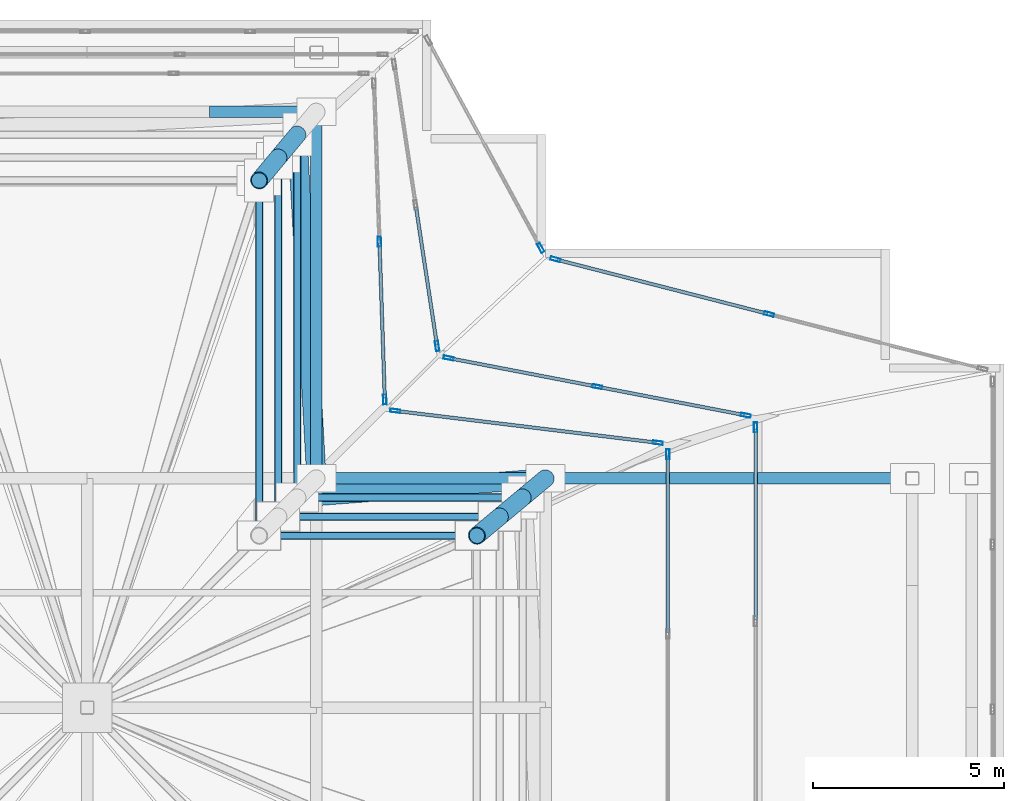
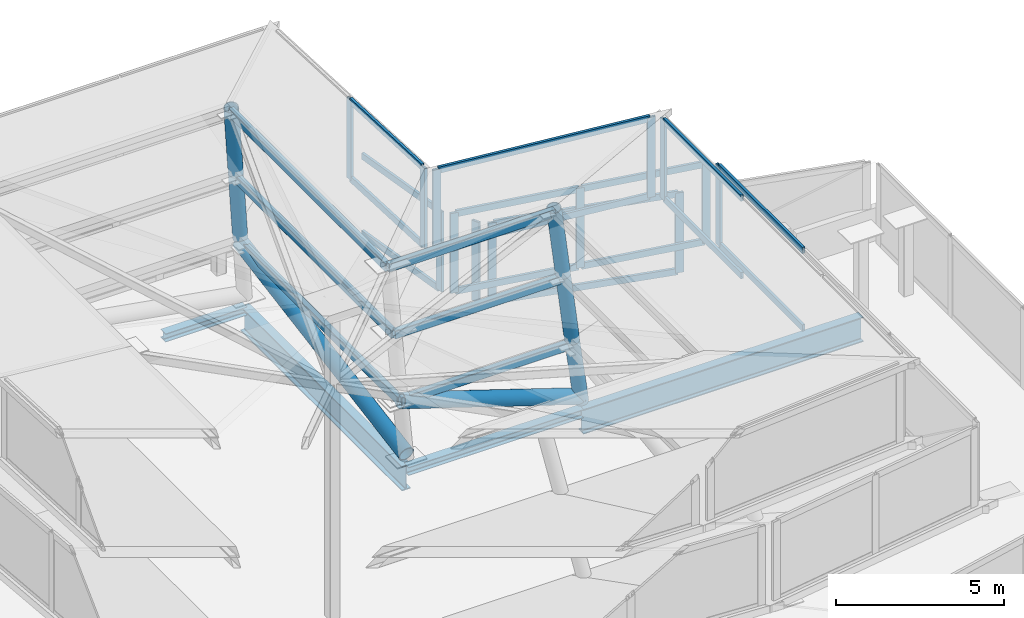
# One storey, part 9 of 15: 36 members, 10 beams, 8 elements without a shape of their own.
"""IFC4 building model written with IfcOpenShell, lengths in metres."""

from ifc_helpers import new_model, si_unit, direction, frame, origin, origin_2d, place, context, subcontext, project, spatial, hollow_rectangle, hollow_circle, i_section, extrude, material, layer, layer_set, material_profile, profile_set, type_object, element, aggregate, save


model = new_model("IFC4")

# Units and contexts
model_context = context("Model", 3, precision=1e-05, world=origin(), true_north=direction((0.0, 1.0)))
body_context = subcontext(model_context, "Body", "Model", "MODEL_VIEW")
ifc_project = project(units=[si_unit("LENGTHUNIT", "METRE"), si_unit("AREAUNIT", "SQUARE_METRE"), si_unit("VOLUMEUNIT", "CUBIC_METRE"), si_unit("PLANEANGLEUNIT", "RADIAN"), si_unit("MASSUNIT", "GRAM", prefix="KILO"), si_unit("THERMODYNAMICTEMPERATUREUNIT", "KELVIN"), si_unit("POWERUNIT", "WATT")], contexts=[model_context])

# Site, building, storey
site_placement = place(None, origin())
site = spatial("IfcSite", under=ifc_project, at=site_placement, CompositionType="ELEMENT")
building_placement = place(site_placement, origin())
building = spatial("IfcBuilding", under=site, at=building_placement, Name="Svarakhadi Broadcast Tower", CompositionType="ELEMENT")
storey_placement = place(building_placement, frame((0.0, 0.0, 310.5)))
storey = spatial("IfcBuildingStorey", under=building, at=storey_placement, Name="RF", CompositionType="ELEMENT", Elevation=310.5)

# Curtain wall, members
ifc_material_1 = material(Name="Anodised Bronze Aluminium AA 6063-T6", Category="aluminium")
ifc_layer = layer(ifc_material_1, 0.260009765625)
ifc_layer_set = layer_set([ifc_layer], Name="Anodised Bronze Aluminium AA 6063-T6")
curtain_wall_type = type_object("IfcCurtainWallType", Name="CW_Sys_07", PredefinedType="NOTDEFINED", material=ifc_layer_set)
curtain_wall_1_placement = place(storey_placement, origin())
curtain_wall_1 = element("IfcCurtainWall", 1, at=curtain_wall_1_placement, inside=storey, type_object=curtain_wall_type, Name="Crown Tier 1 Faceted Curtain Wall 4", PredefinedType="NOTDEFINED")
ifc_material_profile_1 = material_profile(ifc_material_1, hollow_rectangle(XDim=0.090087890625, YDim=0.260009765625, WallThickness=0.005615234375, at=origin_2d()), Name="ALU MULLION 260x90x6")
ifc_profile_set_1 = profile_set([ifc_material_profile_1], Name="Anodised Bronze Aluminium AA 6063-T6")
member_type_1 = type_object("IfcMemberType", Name="CW_Sys_07_Mul", PredefinedType="MULLION", material=ifc_profile_set_1)
member_1_placement = place(storey_placement, frame((29.85009765625, 22.300048828125, 0.0), z_axis=(0.0, 0.0, 1.0), x_axis=(-0.248381965319, -0.968662169853, 0.0)))
member_1 = element("IfcMember", 2, at=member_1_placement, type_object=member_type_1, Name="CW-07 mullion 2", PredefinedType="MULLION", context=body_context, shape_type="SweptSolid", body=[
    extrude(hollow_rectangle(XDim=0.090087890625, YDim=0.260009765625, WallThickness=0.005615234375, at=origin_2d()), origin(), (0.0, 0.0, 1.0), 2.89990234375),
])
member_2_placement = place(storey_placement, frame((24.256591796875, 23.734130859375, 0.0), z_axis=(0.0, 0.0, 1.0), x_axis=(-0.248381965319, -0.968662169853, 0.0)))
member_2 = element("IfcMember", 3, at=member_2_placement, type_object=member_type_1, Name="CW-07 mullion 3", PredefinedType="MULLION", context=body_context, shape_type="SweptSolid", body=[
    extrude(hollow_rectangle(XDim=0.090087890625, YDim=0.260009765625, WallThickness=0.005615234375, at=origin_2d()), origin(), (0.0, 0.0, 1.0), 2.89990234375),
])

# Curtain wall, member
curtain_wall_2_placement = place(storey_placement, origin())
curtain_wall_2 = element("IfcCurtainWall", 4, at=curtain_wall_2_placement, inside=storey, type_object=curtain_wall_type, Name="Crown Tier 1 Faceted Curtain Wall 5", PredefinedType="NOTDEFINED")
member_3_placement = place(storey_placement, frame((23.87353515625, 24.032958984375, 0.0), z_axis=(0.0, 0.0, 1.0), x_axis=(-0.879032535221, -0.476761787503, 0.0)))
member_3 = element("IfcMember", 5, at=member_3_placement, type_object=member_type_1, Name="CW-07 mullion 1", PredefinedType="MULLION", context=body_context, shape_type="SweptSolid", body=[
    extrude(hollow_rectangle(XDim=0.090087890625, YDim=0.260009765625, WallThickness=0.005615234375, at=origin_2d()), origin(), (0.0, 0.0, 1.0), 2.89990234375),
])
aggregate(curtain_wall_2, [member_3])

curtain_wall_3_placement = place(storey_placement, origin())
curtain_wall_3 = element("IfcCurtainWall", 6, at=curtain_wall_3_placement, inside=storey, type_object=curtain_wall_type, Name="Crown Tier 2 Faceted Curtain Wall 3", PredefinedType="NOTDEFINED")
member_4_placement = place(storey_placement, frame((29.5, 19.3349609375, 2.89990234375), z_axis=(0.0, 0.0, 1.0), x_axis=(-1.0, 0.0, 0.0)))
member_4 = element("IfcMember", 7, at=member_4_placement, type_object=member_type_1, Name="CW-07 mullion 4", PredefinedType="MULLION", context=body_context, shape_type="SweptSolid", body=[
    extrude(hollow_rectangle(XDim=0.090087890625, YDim=0.260009765625, WallThickness=0.005615234375, at=origin_2d()), origin(), (0.0, 0.0, 1.0), 2.900146484375),
])

# Curtain wall, members
curtain_wall_4_placement = place(storey_placement, origin())
curtain_wall_4 = element("IfcCurtainWall", 8, at=curtain_wall_4_placement, inside=storey, type_object=curtain_wall_type, Name="Crown Tier 2 Faceted Curtain Wall 4", PredefinedType="NOTDEFINED")
member_5_placement = place(storey_placement, frame((29.23974609375, 19.650146484375, 2.89990234375), z_axis=(0.0, 0.0, 1.0), x_axis=(-0.189295440537, -0.981920178116, 0.0)))
member_5 = element("IfcMember", 9, at=member_5_placement, type_object=member_type_1, Name="CW-07 mullion 1", PredefinedType="MULLION", context=body_context, shape_type="SweptSolid", body=[
    extrude(hollow_rectangle(XDim=0.090087890625, YDim=0.260009765625, WallThickness=0.005615234375, at=origin_2d()), origin(), (0.0, 0.0, 1.0), 2.900146484375),
])
member_6_placement = place(storey_placement, frame((25.35009765625, 20.39990234375, 2.89990234375), z_axis=(0.0, 0.0, 1.0), x_axis=(-0.189295440537, -0.981920178116, 0.0)))
member_6 = element("IfcMember", 10, at=member_6_placement, type_object=member_type_1, Name="CW-07 mullion 2", PredefinedType="MULLION", context=body_context, shape_type="SweptSolid", body=[
    extrude(hollow_rectangle(XDim=0.090087890625, YDim=0.260009765625, WallThickness=0.005615234375, at=origin_2d()), origin(), (0.0, 0.0, 1.0), 2.900146484375),
])
member_7_placement = place(storey_placement, frame((21.460205078125, 21.14990234375, 2.89990234375), z_axis=(0.0, 0.0, 1.0), x_axis=(-0.189295440537, -0.981920178116, 0.0)))
member_7 = element("IfcMember", 11, at=member_7_placement, type_object=member_type_1, Name="CW-07 mullion 3", PredefinedType="MULLION", context=body_context, shape_type="SweptSolid", body=[
    extrude(hollow_rectangle(XDim=0.090087890625, YDim=0.260009765625, WallThickness=0.005615234375, at=origin_2d()), origin(), (0.0, 0.0, 1.0), 2.900146484375),
])

# Curtain wall, member
curtain_wall_5_placement = place(storey_placement, origin())
curtain_wall_5 = element("IfcCurtainWall", 12, at=curtain_wall_5_placement, inside=storey, type_object=curtain_wall_type, Name="Crown Tier 2 Faceted Curtain Wall 5", PredefinedType="NOTDEFINED")
member_8_placement = place(storey_placement, frame((21.16015625, 21.4619140625, 2.89990234375), z_axis=(0.0, 0.0, 1.0), x_axis=(-0.988657771243, -0.150185922647, 0.0)))
member_8 = element("IfcMember", 13, at=member_8_placement, type_object=member_type_1, Name="CW-07 mullion 1", PredefinedType="MULLION", context=body_context, shape_type="SweptSolid", body=[
    extrude(hollow_rectangle(XDim=0.090087890625, YDim=0.260009765625, WallThickness=0.005615234375, at=origin_2d()), origin(), (0.0, 0.0, 1.0), 2.900146484375),
])

curtain_wall_6_placement = place(storey_placement, origin())
curtain_wall_6 = element("IfcCurtainWall", 14, at=curtain_wall_6_placement, inside=storey, type_object=curtain_wall_type, Name="Crown Tier 3 Faceted Curtain Wall 3", PredefinedType="NOTDEFINED")
member_9_placement = place(storey_placement, frame((27.199951171875, 18.635009765625, 5.800048828125), z_axis=(0.0, 0.0, 1.0), x_axis=(-1.0, 0.0, 0.0)))
member_9 = element("IfcMember", 15, at=member_9_placement, type_object=member_type_1, Name="CW-07 mullion 4", PredefinedType="MULLION", context=body_context, shape_type="SweptSolid", body=[
    extrude(hollow_rectangle(XDim=0.090087890625, YDim=0.260009765625, WallThickness=0.005615234375, at=origin_2d()), origin(), (0.0, 0.0, 1.0), 2.89990234375),
])

# Curtain wall, members
curtain_wall_7_placement = place(storey_placement, origin())
curtain_wall_7 = element("IfcCurtainWall", 16, at=curtain_wall_7_placement, inside=storey, type_object=curtain_wall_type, Name="Crown Tier 3 Faceted Curtain Wall 4", PredefinedType="NOTDEFINED")
member_10_placement = place(storey_placement, frame((26.93701171875, 18.93212890625, 5.800048828125), z_axis=(0.0, 0.0, 1.0), x_axis=(-0.120721345443, -0.992686434255, 0.0)))
member_10 = element("IfcMember", 17, at=member_10_placement, type_object=member_type_1, Name="CW-07 mullion 1", PredefinedType="MULLION", context=body_context, shape_type="SweptSolid", body=[
    extrude(hollow_rectangle(XDim=0.090087890625, YDim=0.260009765625, WallThickness=0.005615234375, at=origin_2d()), origin(), (0.0, 0.0, 1.0), 2.89990234375),
])
member_11_placement = place(storey_placement, frame((20.06298828125, 19.76806640625, 5.800048828125), z_axis=(0.0, 0.0, 1.0), x_axis=(-0.120721345443, -0.992686434255, 0.0)))
member_11 = element("IfcMember", 18, at=member_11_placement, type_object=member_type_1, Name="CW-07 mullion 2", PredefinedType="MULLION", context=body_context, shape_type="SweptSolid", body=[
    extrude(hollow_rectangle(XDim=0.090087890625, YDim=0.260009765625, WallThickness=0.005615234375, at=origin_2d()), origin(), (0.0, 0.0, 1.0), 2.89990234375),
])

curtain_wall_8_placement = place(storey_placement, origin())
curtain_wall_8 = element("IfcCurtainWall", 19, at=curtain_wall_8_placement, inside=storey, type_object=curtain_wall_type, Name="Crown Tier 3 Faceted Curtain Wall 5", PredefinedType="NOTDEFINED")
member_12_placement = place(storey_placement, frame((19.791015625, 20.06494140625, 5.800048828125), z_axis=(0.0, 0.0, 1.0), x_axis=(-0.99941943873, -0.034070302152, 0.0)))
member_12 = element("IfcMember", 20, at=member_12_placement, type_object=member_type_1, Name="CW-07 mullion 1", PredefinedType="MULLION", context=body_context, shape_type="SweptSolid", body=[
    extrude(hollow_rectangle(XDim=0.090087890625, YDim=0.260009765625, WallThickness=0.005615234375, at=origin_2d()), origin(), (0.0, 0.0, 1.0), 2.89990234375),
])
member_13_placement = place(storey_placement, frame((19.64990234375, 24.199951171875, 5.800048828125), z_axis=(0.0, 0.0, 1.0), x_axis=(-0.99941943873, -0.034070302152, 0.0)))
member_13 = element("IfcMember", 21, at=member_13_placement, type_object=member_type_1, Name="CW-07 mullion 2", PredefinedType="MULLION", context=body_context, shape_type="SweptSolid", body=[
    extrude(hollow_rectangle(XDim=0.090087890625, YDim=0.260009765625, WallThickness=0.005615234375, at=origin_2d()), origin(), (0.0, 0.0, 1.0), 2.89990234375),
])

# Member
ifc_material_profile_2 = material_profile(ifc_material_1, hollow_rectangle(XDim=0.090087890625, YDim=0.22998046875, WallThickness=0.0048828125, at=origin_2d()), Name="ALU TRANSOM 230x90x5")
ifc_profile_set_2 = profile_set([ifc_material_profile_2], Name="Anodised Bronze Aluminium AA 6063-T6")
member_type_2 = type_object("IfcMemberType", Name="CW_Sys_07_Trn", PredefinedType="USERDEFINED", material=ifc_profile_set_2)
member_14_placement = place(storey_placement, frame((29.806396484375, 22.311279296875, 0.044921875), z_axis=(-0.968662011277, 0.248382583746, 0.0), x_axis=(-0.248382583746, -0.968662011277, 0.0)))
member_14 = element("IfcMember", 22, at=member_14_placement, type_object=member_type_2, Name="CW-07 transom 2.1", ObjectType="TRANSOM", PredefinedType="USERDEFINED", context=body_context, shape_type="SweptSolid", body=[
    extrude(hollow_rectangle(XDim=0.090087890625, YDim=0.22998046875, WallThickness=0.0048828125, at=origin_2d()), origin(), (0.0, 0.0, 1.0), 5.684326171875),
])

member_15_placement = place(storey_placement, frame((29.806396484375, 22.311279296875, 2.85498046875), z_axis=(-0.968662011277, 0.248382583746, 0.0), x_axis=(-0.248382583746, -0.968662011277, 0.0)))
member_15 = element("IfcMember", 23, at=member_15_placement, type_object=member_type_2, Name="CW-07 transom 2.2", ObjectType="TRANSOM", PredefinedType="USERDEFINED", context=body_context, shape_type="SweptSolid", body=[
    extrude(hollow_rectangle(XDim=0.090087890625, YDim=0.22998046875, WallThickness=0.0048828125, at=origin_2d()), origin(), (0.0, 0.0, 1.0), 5.684326171875),
])

aggregate(curtain_wall_1, [member_1, member_2, member_14, member_15])

member_16_placement = place(storey_placement, frame((29.5, 14.304931640625, 2.945068359375), z_axis=(0.0, 1.0, 0.0), x_axis=(-1.0, 0.0, 0.0)))
member_16 = element("IfcMember", 24, at=member_16_placement, type_object=member_type_2, Name="CW-07 transom 3.1", ObjectType="TRANSOM", PredefinedType="USERDEFINED", context=body_context, shape_type="SweptSolid", body=[
    extrude(hollow_rectangle(XDim=0.090087890625, YDim=0.22998046875, WallThickness=0.0048828125, at=origin_2d()), origin(), (0.0, 0.0, 1.0), 4.985107421875),
])

member_17_placement = place(storey_placement, frame((29.5, 14.304931640625, 5.7548828125), z_axis=(0.0, 1.0, 0.0), x_axis=(-1.0, 0.0, 0.0)))
member_17 = element("IfcMember", 25, at=member_17_placement, type_object=member_type_2, Name="CW-07 transom 3.2", ObjectType="TRANSOM", PredefinedType="USERDEFINED", context=body_context, shape_type="SweptSolid", body=[
    extrude(hollow_rectangle(XDim=0.090087890625, YDim=0.22998046875, WallThickness=0.0048828125, at=origin_2d()), origin(), (0.0, 0.0, 1.0), 4.985107421875),
])

aggregate(curtain_wall_3, [member_4, member_16, member_17])

member_18_placement = place(storey_placement, frame((29.195556640625, 19.65869140625, 2.945068359375), z_axis=(-0.981915469941, 0.189319861321, 0.0), x_axis=(-0.189319861321, -0.981915469941, 0.0)))
member_18 = element("IfcMember", 26, at=member_18_placement, type_object=member_type_2, Name="CW-07 transom 1.1", ObjectType="TRANSOM", PredefinedType="USERDEFINED", context=body_context, shape_type="SweptSolid", body=[
    extrude(hollow_rectangle(XDim=0.090087890625, YDim=0.22998046875, WallThickness=0.0048828125, at=origin_2d()), origin(), (0.0, 0.0, 1.0), 3.871337890625),
])

member_19_placement = place(storey_placement, frame((29.195556640625, 19.65869140625, 5.7548828125), z_axis=(-0.981915469941, 0.189319861321, 0.0), x_axis=(-0.189319861321, -0.981915469941, 0.0)))
member_19 = element("IfcMember", 27, at=member_19_placement, type_object=member_type_2, Name="CW-07 transom 1.2", ObjectType="TRANSOM", PredefinedType="USERDEFINED", context=body_context, shape_type="SweptSolid", body=[
    extrude(hollow_rectangle(XDim=0.090087890625, YDim=0.22998046875, WallThickness=0.0048828125, at=origin_2d()), origin(), (0.0, 0.0, 1.0), 3.871337890625),
])

member_20_placement = place(storey_placement, frame((25.305908203125, 20.408447265625, 2.945068359375), z_axis=(-0.981917730092, 0.189308138574, 0.0), x_axis=(-0.189308138574, -0.981917730092, 0.0)))
member_20 = element("IfcMember", 28, at=member_20_placement, type_object=member_type_2, Name="CW-07 transom 2.1", ObjectType="TRANSOM", PredefinedType="USERDEFINED", context=body_context, shape_type="SweptSolid", body=[
    extrude(hollow_rectangle(XDim=0.090087890625, YDim=0.22998046875, WallThickness=0.0048828125, at=origin_2d()), origin(), (0.0, 0.0, 1.0), 3.87158203125),
])

member_21_placement = place(storey_placement, frame((25.305908203125, 20.408447265625, 5.7548828125), z_axis=(-0.981917730092, 0.189308138574, 0.0), x_axis=(-0.189308138574, -0.981917730092, 0.0)))
member_21 = element("IfcMember", 29, at=member_21_placement, type_object=member_type_2, Name="CW-07 transom 2.2", ObjectType="TRANSOM", PredefinedType="USERDEFINED", context=body_context, shape_type="SweptSolid", body=[
    extrude(hollow_rectangle(XDim=0.090087890625, YDim=0.22998046875, WallThickness=0.0048828125, at=origin_2d()), origin(), (0.0, 0.0, 1.0), 3.87158203125),
])

aggregate(curtain_wall_4, [member_5, member_6, member_7, member_18, member_19, member_20, member_21])

member_22_placement = place(storey_placement, frame((21.153564453125, 21.506591796875, 2.945068359375), z_axis=(-0.150232518129, 0.988650691851, 0.0), x_axis=(-0.988650691851, -0.150232518129, 0.0)))
member_22 = element("IfcMember", 30, at=member_22_placement, type_object=member_type_2, Name="CW-07 transom 1.1", ObjectType="TRANSOM", PredefinedType="USERDEFINED", context=body_context, shape_type="SweptSolid", body=[
    extrude(hollow_rectangle(XDim=0.090087890625, YDim=0.22998046875, WallThickness=0.0048828125, at=origin_2d()), origin(), (0.0, 0.0, 1.0), 3.64013671875),
])

member_23_placement = place(storey_placement, frame((21.153564453125, 21.506591796875, 5.7548828125), z_axis=(-0.150232518129, 0.988650691851, 0.0), x_axis=(-0.988650691851, -0.150232518129, 0.0)))
member_23 = element("IfcMember", 31, at=member_23_placement, type_object=member_type_2, Name="CW-07 transom 1.2", ObjectType="TRANSOM", PredefinedType="USERDEFINED", context=body_context, shape_type="SweptSolid", body=[
    extrude(hollow_rectangle(XDim=0.090087890625, YDim=0.22998046875, WallThickness=0.0048828125, at=origin_2d()), origin(), (0.0, 0.0, 1.0), 3.64013671875),
])

aggregate(curtain_wall_5, [member_8, member_22, member_23])

member_24_placement = place(storey_placement, frame((27.199951171875, 13.9716796875, 5.844970703125), z_axis=(0.0, 1.0, 0.0), x_axis=(-1.0, 0.0, 0.0)))
member_24 = element("IfcMember", 32, at=member_24_placement, type_object=member_type_2, Name="CW-07 transom 3.1", ObjectType="TRANSOM", PredefinedType="USERDEFINED", context=body_context, shape_type="SweptSolid", body=[
    extrude(hollow_rectangle(XDim=0.090087890625, YDim=0.22998046875, WallThickness=0.0048828125, at=origin_2d()), origin(), (0.0, 0.0, 1.0), 4.618408203125),
])

member_25_placement = place(storey_placement, frame((27.199951171875, 13.9716796875, 8.655029296875), z_axis=(0.0, 1.0, 0.0), x_axis=(-1.0, 0.0, 0.0)))
member_25 = element("IfcMember", 33, at=member_25_placement, type_object=member_type_2, Name="CW-07 transom 3.2", ObjectType="TRANSOM", PredefinedType="USERDEFINED", context=body_context, shape_type="SweptSolid", body=[
    extrude(hollow_rectangle(XDim=0.090087890625, YDim=0.22998046875, WallThickness=0.0048828125, at=origin_2d()), origin(), (0.0, 0.0, 1.0), 4.618408203125),
])

aggregate(curtain_wall_6, [member_9, member_24, member_25])

member_26_placement = place(storey_placement, frame((26.892333984375, 18.9375, 5.844970703125), z_axis=(-0.992688843461, 0.120701532999, 0.0), x_axis=(-0.120701532999, -0.992688843461, 0.0)))
member_26 = element("IfcMember", 34, at=member_26_placement, type_object=member_type_2, Name="CW-07 transom 1.1", ObjectType="TRANSOM", PredefinedType="USERDEFINED", context=body_context, shape_type="SweptSolid", body=[
    extrude(hollow_rectangle(XDim=0.090087890625, YDim=0.22998046875, WallThickness=0.0048828125, at=origin_2d()), origin(), (0.0, 0.0, 1.0), 6.834716796875),
])

member_27_placement = place(storey_placement, frame((26.892333984375, 18.9375, 8.655029296875), z_axis=(-0.992688843461, 0.120701532999, 0.0), x_axis=(-0.120701532999, -0.992688843461, 0.0)))
member_27 = element("IfcMember", 35, at=member_27_placement, type_object=member_type_2, Name="CW-07 transom 1.2", ObjectType="TRANSOM", PredefinedType="USERDEFINED", context=body_context, shape_type="SweptSolid", body=[
    extrude(hollow_rectangle(XDim=0.090087890625, YDim=0.22998046875, WallThickness=0.0048828125, at=origin_2d()), origin(), (0.0, 0.0, 1.0), 6.834716796875),
])

aggregate(curtain_wall_7, [member_10, member_11, member_26, member_27])

member_28_placement = place(storey_placement, frame((19.78955078125, 20.10986328125, 5.844970703125), z_axis=(-0.034080016642, 0.999419107515, 0.0), x_axis=(-0.999419107515, -0.034080016642, 0.0)))
member_28 = element("IfcMember", 36, at=member_28_placement, type_object=member_type_2, Name="CW-07 transom 1.1", ObjectType="TRANSOM", PredefinedType="USERDEFINED", context=body_context, shape_type="SweptSolid", body=[
    extrude(hollow_rectangle(XDim=0.090087890625, YDim=0.22998046875, WallThickness=0.0048828125, at=origin_2d()), origin(), (0.0, 0.0, 1.0), 4.047607421875),
])

member_29_placement = place(storey_placement, frame((19.78955078125, 20.10986328125, 8.655029296875), z_axis=(-0.034080016642, 0.999419107515, 0.0), x_axis=(-0.999419107515, -0.034080016642, 0.0)))
member_29 = element("IfcMember", 37, at=member_29_placement, type_object=member_type_2, Name="CW-07 transom 1.2", ObjectType="TRANSOM", PredefinedType="USERDEFINED", context=body_context, shape_type="SweptSolid", body=[
    extrude(hollow_rectangle(XDim=0.090087890625, YDim=0.22998046875, WallThickness=0.0048828125, at=origin_2d()), origin(), (0.0, 0.0, 1.0), 4.047607421875),
])

aggregate(curtain_wall_8, [member_12, member_13, member_28, member_29])

# Members
ifc_material_2 = material(Name="Steel S460ML (IS 2062 E450BR)", Category="steel")
ifc_material_profile_3 = material_profile(ifc_material_2, hollow_circle(Radius=0.228515625, WallThickness=0.02490234375, at=origin_2d()), Name="CHS 457x25")
ifc_profile_set_3 = profile_set([ifc_material_profile_3], Name="Steel S460ML (IS 2062 E450BR)")
member_type_3 = type_object("IfcMemberType", Name="Crown_Spire_CHS457", PredefinedType="BRACE", material=ifc_profile_set_3)
member_30_placement = place(storey_placement, frame((24.0, 18.0, 0.0), z_axis=(-0.212055819659, -0.176684425818, 0.961152923848), x_axis=(0.640122910398, -0.768272516483, 0.0)))
element("IfcMember", 38, at=member_30_placement, inside=storey, type_object=member_type_3, Name="Crown Structural Spire Frame Chord SL-01-04", PredefinedType="BRACE", context=body_context, shape_type="SweptSolid", body=[
    extrude(hollow_circle(Radius=0.228515625, WallThickness=0.02490234375, at=origin_2d()), origin(), (0.0, 0.0, 1.0), 2.829833984375),
])
for number, where, z_axis, x_axis, name in (
    (39, (23.39990234375, 17.5, 2.719970703125), (-0.199721913175, -0.166475571096, 0.965607084495), (0.640276648024, -0.768144396579, 0.0), "Crown Structural Spire Frame Chord SL-01-12"),
    (40, (17.5, 27.0, 2.719970703125), (-0.166472867918, -0.199799955734, 0.965591405272), (0.768272516483, -0.640122910398, 0.0), "Crown Structural Spire Frame Chord SL-01-14"),
):
    element("IfcMember", number, at=place(storey_placement, frame(where, z_axis=z_axis, x_axis=x_axis)), inside=storey, type_object=member_type_3, Name=name, PredefinedType="BRACE", context=body_context, shape_type="SweptSolid", body=[
        extrude(hollow_circle(Radius=0.228515625, WallThickness=0.02490234375, at=origin_2d()), origin(), (0.0, 0.0, 1.0), 3.00341796875),
    ])
for number, where, z_axis, x_axis, name in (
    (41, (22.800048828125, 17.0, 5.6201171875), (-0.19981563895, -0.166485935138, 0.965585907018), (0.640122910398, -0.768272516483, 0.0), "Crown Structural Spire Frame Chord SL-01-20"),
    (42, (17.0, 26.39990234375, 5.6201171875), (-0.166488638953, -0.199737590775, 0.965601588613), (0.768144396579, -0.640276648024, 0.0), "Crown Structural Spire Frame Chord SL-01-22"),
):
    element("IfcMember", number, at=place(storey_placement, frame(where, z_axis=z_axis, x_axis=x_axis)), inside=storey, type_object=member_type_3, Name=name, PredefinedType="BRACE", context=body_context, shape_type="SweptSolid", body=[
        extrude(hollow_circle(Radius=0.228515625, WallThickness=0.02490234375, at=origin_2d()), origin(), (0.0, 0.0, 1.0), 3.003173828125),
    ])
ifc_material_profile_4 = material_profile(ifc_material_2, hollow_circle(Radius=0.25390625, WallThickness=0.02490234375, at=origin_2d()), Name="CHS 508x25")
ifc_profile_set_4 = profile_set([ifc_material_profile_4], Name="Steel S460ML (IS 2062 E450BR)")
member_type_4 = type_object("IfcMemberType", Name="Exo_Brace_CHS508", PredefinedType="BRACE", material=ifc_profile_set_4)
member_31_placement = place(storey_placement, frame((24.0, 18.0, 0.14990234375), z_axis=(-0.934722652327, -0.071901742487, 0.348028307261), x_axis=(0.076696498885, -0.997054485502, 0.0)))
element("IfcMember", 43, at=member_31_placement, inside=storey, type_object=member_type_4, Name="Crown Tier 1 Diagonal Brace EX-05-04", PredefinedType="BRACE", context=body_context, shape_type="SweptSolid", body=[
    extrude(hollow_circle(Radius=0.25390625, WallThickness=0.02490234375, at=origin_2d()), origin(), (0.0, 0.0, 1.0), 6.953857421875),
])
member_32_placement = place(storey_placement, frame((18.0, 18.0, 0.14990234375), z_axis=(-0.053572630146, 0.964307342633, 0.259309317695), x_axis=(-0.998460353205, -0.055470019623, 0.0)))
element("IfcMember", 44, at=member_32_placement, inside=storey, type_object=member_type_4, Name="Crown Tier 1 Diagonal Brace EX-05-05", PredefinedType="BRACE", context=body_context, shape_type="SweptSolid", body=[
    extrude(hollow_circle(Radius=0.25390625, WallThickness=0.02490234375, at=origin_2d()), origin(), (0.0, 0.0, 1.0), 9.3330078125),
])

# Beams
ifc_material_3 = material(Name="Steel S355J2 (IS 2062 E350C)", Category="steel")
ifc_material_profile_5 = material_profile(ifc_material_3, i_section(OverallWidth=0.300048828125, OverallDepth=0.300048828125, WebThickness=0.010986328125, FlangeThickness=0.01904296875, FilletRadius=0.027099609375, at=origin_2d()), Name="WPB 300x300x117")
ifc_profile_set_5 = profile_set([ifc_material_profile_5], Name="Steel S355J2 (IS 2062 E350C)")
beam_type_1 = type_object("IfcBeamType", Name="Girder_WPB300", PredefinedType="USERDEFINED", material=ifc_profile_set_5)
beam_1_placement = place(storey_placement, frame((18.0, 18.0, -0.39990234375), z_axis=(1.0, 0.0, 0.0), x_axis=(0.0, 1.0, 0.0)))
element("IfcBeam", 45, at=beam_1_placement, inside=storey, type_object=beam_type_1, Name="RF Primary E-W Girder G020", ObjectType="GIRDER", PredefinedType="USERDEFINED", context=body_context, shape_type="SweptSolid", body=[
    extrude(i_section(OverallWidth=0.300048828125, OverallDepth=0.300048828125, WebThickness=0.010986328125, FlangeThickness=0.01904296875, FilletRadius=0.027099609375, at=origin_2d()), origin(), (0.0, 0.0, 1.0), 6.0),
])
beam_2_placement = place(storey_placement, frame((15.199951171875, 27.60009765625, -0.39990234375), z_axis=(1.0, 0.0, 0.0), x_axis=(0.0, 1.0, 0.0)))
element("IfcBeam", 46, at=beam_2_placement, inside=storey, type_object=beam_type_1, Name="RF Primary E-W Girder G023", ObjectType="GIRDER", PredefinedType="USERDEFINED", context=body_context, shape_type="SweptSolid", body=[
    extrude(i_section(OverallWidth=0.300048828125, OverallDepth=0.300048828125, WebThickness=0.010986328125, FlangeThickness=0.01904296875, FilletRadius=0.027099609375, at=origin_2d()), origin(), (0.0, 0.0, 1.0), 2.800048828125),
])
ifc_material_profile_6 = material_profile(ifc_material_2, i_section(OverallWidth=0.300048828125, OverallDepth=0.89990234375, WebThickness=0.0185546875, FlangeThickness=0.034912109375, FilletRadius=0.030029296875, at=origin_2d()), Name="WPB 900x300x291")
ifc_profile_set_6 = profile_set([ifc_material_profile_6], Name="Steel S460ML (IS 2062 E450BR)")
beam_type_2 = type_object("IfcBeamType", Name="Girder_WPB900", PredefinedType="USERDEFINED", material=ifc_profile_set_6)
for number, where, z_axis, x_axis, name in (
    (47, (24.0, 18.0, -0.699951171875), (1.0, 0.0, 0.0), (0.0, 1.0, 0.0), "RF Primary E-W Girder G021"),
    (48, (18.0, 18.0, -0.699951171875), (0.0, 1.0, 0.0), (-1.0, 0.0, 0.0), "RF Primary N-S Girder G039"),
):
    element("IfcBeam", number, at=place(storey_placement, frame(where, z_axis=z_axis, x_axis=x_axis)), inside=storey, type_object=beam_type_2, Name=name, ObjectType="GIRDER", PredefinedType="USERDEFINED", context=body_context, shape_type="SweptSolid", body=[
        extrude(i_section(OverallWidth=0.300048828125, OverallDepth=0.89990234375, WebThickness=0.0185546875, FlangeThickness=0.034912109375, FilletRadius=0.030029296875, at=origin_2d()), origin(), (0.0, 0.0, 1.0), 9.60009765625),
    ])
ifc_material_profile_7 = material_profile(ifc_material_2, hollow_rectangle(XDim=0.199951171875, YDim=0.300048828125, WallThickness=0.012451171875, InnerFilletRadius=0.012451171875, OuterFilletRadius=0.02490234375, at=origin_2d()), Name="RHS 300x200x12.5")
ifc_profile_set_7 = profile_set([ifc_material_profile_7], Name="Steel S460ML (IS 2062 E450BR)")
beam_type_3 = type_object("IfcBeamType", Name="Spandrel_RHS300", PredefinedType="SPANDREL", material=ifc_profile_set_7)
beam_3_placement = place(storey_placement, frame((23.39990234375, 17.5, 2.570068359375), z_axis=(-1.0, 0.0, 0.0), x_axis=(0.0, -1.0, 0.0)))
element("IfcBeam", 49, at=beam_3_placement, inside=storey, type_object=beam_type_3, Name="Crown Tier 1 Stiffening Ring Beam CR-R1-4", PredefinedType="SPANDREL", context=body_context, shape_type="SweptSolid", body=[
    extrude(hollow_rectangle(XDim=0.199951171875, YDim=0.300048828125, WallThickness=0.012451171875, InnerFilletRadius=0.012451171875, OuterFilletRadius=0.02490234375, at=origin_2d()), origin(), (0.0, 0.0, 1.0), 5.89990234375),
])
beam_4_placement = place(storey_placement, frame((17.5, 17.5, 2.570068359375), z_axis=(0.0, 1.0, 0.0), x_axis=(-1.0, 0.0, 0.0)))
element("IfcBeam", 50, at=beam_4_placement, inside=storey, type_object=beam_type_3, Name="Crown Tier 1 Stiffening Ring Beam CR-R1-5", PredefinedType="SPANDREL", context=body_context, shape_type="SweptSolid", body=[
    extrude(hollow_rectangle(XDim=0.199951171875, YDim=0.300048828125, WallThickness=0.012451171875, InnerFilletRadius=0.012451171875, OuterFilletRadius=0.02490234375, at=origin_2d()), origin(), (0.0, 0.0, 1.0), 9.5),
])
beam_5_placement = place(storey_placement, frame((22.800048828125, 17.0, 5.469970703125), z_axis=(-1.0, 0.0, 0.0), x_axis=(0.0, -1.0, 0.0)))
element("IfcBeam", 51, at=beam_5_placement, inside=storey, type_object=beam_type_3, Name="Crown Tier 2 Stiffening Ring Beam CR-R2-4", PredefinedType="SPANDREL", context=body_context, shape_type="SweptSolid", body=[
    extrude(hollow_rectangle(XDim=0.199951171875, YDim=0.300048828125, WallThickness=0.012451171875, InnerFilletRadius=0.012451171875, OuterFilletRadius=0.02490234375, at=origin_2d()), origin(), (0.0, 0.0, 1.0), 5.800048828125),
])
beam_6_placement = place(storey_placement, frame((17.0, 17.0, 5.469970703125), z_axis=(0.0, 1.0, 0.0), x_axis=(-1.0, 0.0, 0.0)))
element("IfcBeam", 52, at=beam_6_placement, inside=storey, type_object=beam_type_3, Name="Crown Tier 2 Stiffening Ring Beam CR-R2-5", PredefinedType="SPANDREL", context=body_context, shape_type="SweptSolid", body=[
    extrude(hollow_rectangle(XDim=0.199951171875, YDim=0.300048828125, WallThickness=0.012451171875, InnerFilletRadius=0.012451171875, OuterFilletRadius=0.02490234375, at=origin_2d()), origin(), (0.0, 0.0, 1.0), 9.39990234375),
])
beam_7_placement = place(storey_placement, frame((22.199951171875, 16.5, 8.3701171875), z_axis=(-1.0, 0.0, 0.0), x_axis=(0.0, -1.0, 0.0)))
element("IfcBeam", 53, at=beam_7_placement, inside=storey, type_object=beam_type_3, Name="Crown Tier 3 Stiffening Ring Beam CR-R3-4", PredefinedType="SPANDREL", context=body_context, shape_type="SweptSolid", body=[
    extrude(hollow_rectangle(XDim=0.199951171875, YDim=0.300048828125, WallThickness=0.012451171875, InnerFilletRadius=0.012451171875, OuterFilletRadius=0.02490234375, at=origin_2d()), origin(), (0.0, 0.0, 1.0), 5.699951171875),
])
beam_8_placement = place(storey_placement, frame((16.5, 16.5, 8.3701171875), z_axis=(0.0, 1.0, 0.0), x_axis=(-1.0, 0.0, 0.0)))
element("IfcBeam", 54, at=beam_8_placement, inside=storey, type_object=beam_type_3, Name="Crown Tier 3 Stiffening Ring Beam CR-R3-5", PredefinedType="SPANDREL", context=body_context, shape_type="SweptSolid", body=[
    extrude(hollow_rectangle(XDim=0.199951171875, YDim=0.300048828125, WallThickness=0.012451171875, InnerFilletRadius=0.012451171875, OuterFilletRadius=0.02490234375, at=origin_2d()), origin(), (0.0, 0.0, 1.0), 9.300048828125),
])

save(model, "model.ifc")
